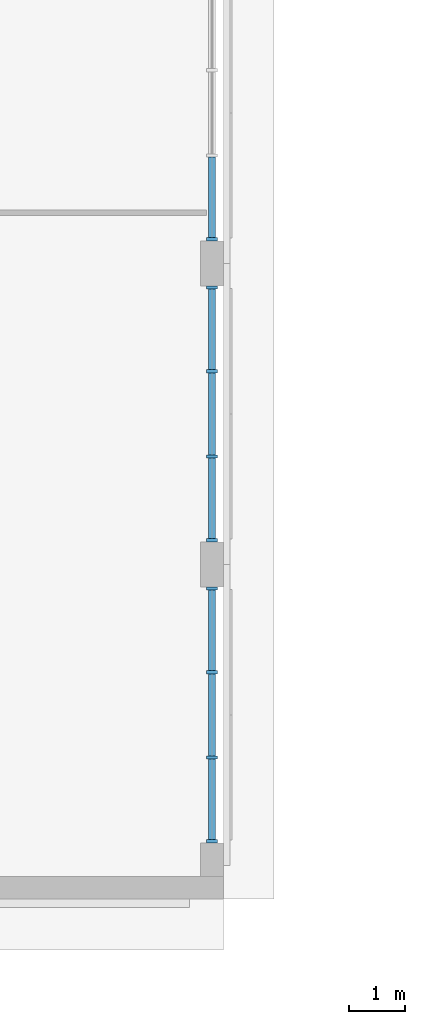
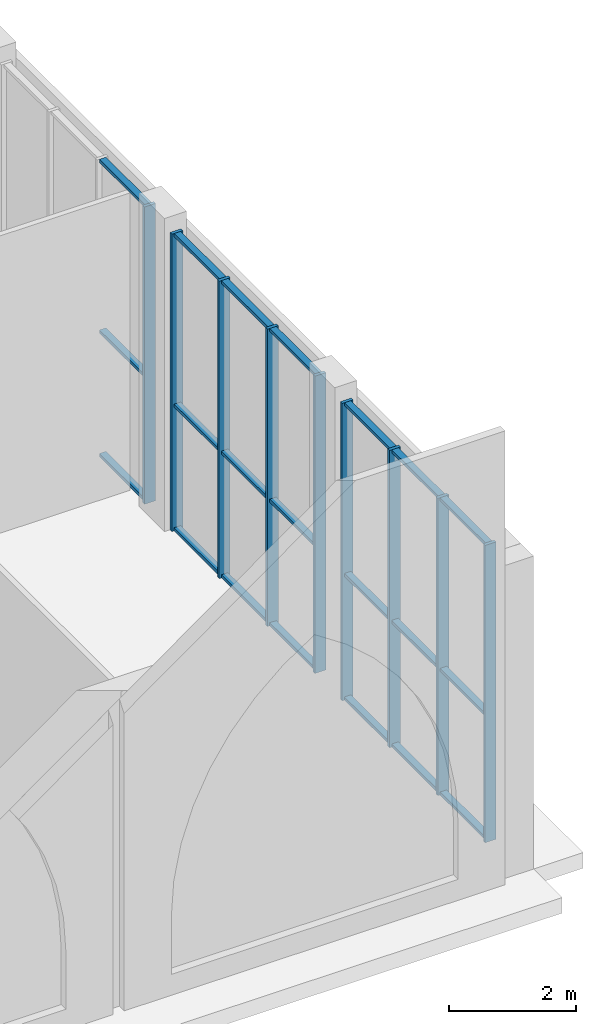
# One storey, part 7 of 74: 30 members, 3 elements without a shape of their own.
"""IFC4 building model written with IfcOpenShell, lengths in metres."""

from ifc_helpers import new_model, si_unit, direction, frame, origin, origin_2d, place, context, subcontext, project, spatial, rectangle, extrude, material, layer, layer_set, material_profile, profile_set, type_object, element, aggregate, save


model = new_model("IFC4")

# Units and contexts
model_context = context("Model", 3, precision=1e-05, world=origin(), true_north=direction((0.0, 1.0)))
body_context = subcontext(model_context, "Body", "Model", "MODEL_VIEW")
ifc_project = project(units=[si_unit("LENGTHUNIT", "METRE"), si_unit("AREAUNIT", "SQUARE_METRE"), si_unit("VOLUMEUNIT", "CUBIC_METRE"), si_unit("PLANEANGLEUNIT", "RADIAN"), si_unit("MASSUNIT", "GRAM", prefix="KILO")], contexts=[model_context])

# Site, building, storey
site_placement = place(None, origin())
site = spatial("IfcSite", under=ifc_project, at=site_placement, CompositionType="ELEMENT")
building_placement = place(site_placement, origin())
building = spatial("IfcBuilding", under=site, at=building_placement, Name="Noorbagh Ring Tower", CompositionType="ELEMENT")
storey_placement = place(building_placement, frame((0.0, 0.0, 13.5)))
storey = spatial("IfcBuildingStorey", under=building, at=storey_placement, Name="L02", CompositionType="ELEMENT", Elevation=13.5)

# Curtain wall, members
ifc_material_1 = material(Name="Aluminium and glass", Category="aluminium")
ifc_layer = layer(ifc_material_1, 0.199951171875)
ifc_layer_set = layer_set([ifc_layer], Name="Aluminium and glass")
curtain_wall_type = type_object("IfcCurtainWallType", Name="TH-CW", PredefinedType="NOTDEFINED", material=ifc_layer_set)
curtain_wall_1_placement = place(storey_placement, origin())
curtain_wall_1 = element("IfcCurtainWall", 1, at=curtain_wall_1_placement, inside=storey, type_object=curtain_wall_type, Name="Foyer glazing", PredefinedType="NOTDEFINED")
ifc_material_2 = material(Name="Aluminium", Category="aluminium")
ifc_material_profile_1 = material_profile(ifc_material_2, rectangle(XDim=0.199951171875, YDim=0.06005859375, at=origin_2d()), Name="AL 200x60")
ifc_profile_set_1 = profile_set([ifc_material_profile_1], Name="Aluminium")
member_type_1 = type_object("IfcMemberType", Name="TH-CW-MULLION", PredefinedType="MULLION", material=ifc_profile_set_1)
member_1_placement = place(storey_placement, frame((-95.199951171875, -19.969970703125, 0.0), z_axis=(0.0, 0.0, 1.0), x_axis=(-1.0, 0.0, 0.0)))
member_1 = element("IfcMember", 2, at=member_1_placement, type_object=member_type_1, Name="CW-T mullion 1", PredefinedType="MULLION", context=body_context, shape_type="SweptSolid", body=[
    extrude(rectangle(XDim=0.199951171875, YDim=0.06005859375, at=origin_2d()), origin(), (0.0, 0.0, 1.0), 5.699951171875),
])
member_2_placement = place(storey_placement, frame((-95.199951171875, -18.4833984375, 0.0), z_axis=(0.0, 0.0, 1.0), x_axis=(-1.0, 0.0, 0.0)))
member_2 = element("IfcMember", 3, at=member_2_placement, type_object=member_type_1, Name="CW-T mullion 2", PredefinedType="MULLION", context=body_context, shape_type="SweptSolid", body=[
    extrude(rectangle(XDim=0.199951171875, YDim=0.06005859375, at=origin_2d()), origin(), (0.0, 0.0, 1.0), 5.699951171875),
])
member_3_placement = place(storey_placement, frame((-95.199951171875, -16.966552734375, 0.0), z_axis=(0.0, 0.0, 1.0), x_axis=(-1.0, 0.0, 0.0)))
member_3 = element("IfcMember", 4, at=member_3_placement, type_object=member_type_1, Name="CW-T mullion 3", PredefinedType="MULLION", context=body_context, shape_type="SweptSolid", body=[
    extrude(rectangle(XDim=0.199951171875, YDim=0.06005859375, at=origin_2d()), origin(), (0.0, 0.0, 1.0), 5.699951171875),
])
member_4_placement = place(storey_placement, frame((-95.199951171875, -15.47998046875, 0.0), z_axis=(0.0, 0.0, 1.0), x_axis=(-1.0, 0.0, 0.0)))
member_4 = element("IfcMember", 5, at=member_4_placement, type_object=member_type_1, Name="CW-T mullion 4", PredefinedType="MULLION", context=body_context, shape_type="SweptSolid", body=[
    extrude(rectangle(XDim=0.199951171875, YDim=0.06005859375, at=origin_2d()), origin(), (0.0, 0.0, 1.0), 5.699951171875),
])

curtain_wall_2_placement = place(storey_placement, origin())
curtain_wall_2 = element("IfcCurtainWall", 6, at=curtain_wall_2_placement, inside=storey, type_object=curtain_wall_type, Name="Foyer glazing", PredefinedType="NOTDEFINED")
member_5_placement = place(storey_placement, frame((-95.199951171875, -14.6201171875, 0.0), z_axis=(0.0, 0.0, 1.0), x_axis=(-1.0, 0.0, 0.0)))
member_5 = element("IfcMember", 7, at=member_5_placement, type_object=member_type_1, Name="CW-T mullion 1", PredefinedType="MULLION", context=body_context, shape_type="SweptSolid", body=[
    extrude(rectangle(XDim=0.199951171875, YDim=0.06005859375, at=origin_2d()), origin(), (0.0, 0.0, 1.0), 5.699951171875),
])
member_6_placement = place(storey_placement, frame((-95.199951171875, -13.13330078125, 0.0), z_axis=(0.0, 0.0, 1.0), x_axis=(-1.0, 0.0, 0.0)))
member_6 = element("IfcMember", 8, at=member_6_placement, type_object=member_type_1, Name="CW-T mullion 2", PredefinedType="MULLION", context=body_context, shape_type="SweptSolid", body=[
    extrude(rectangle(XDim=0.199951171875, YDim=0.06005859375, at=origin_2d()), origin(), (0.0, 0.0, 1.0), 5.699951171875),
])
member_7_placement = place(storey_placement, frame((-95.199951171875, -11.61669921875, 0.0), z_axis=(0.0, 0.0, 1.0), x_axis=(-1.0, 0.0, 0.0)))
member_7 = element("IfcMember", 9, at=member_7_placement, type_object=member_type_1, Name="CW-T mullion 3", PredefinedType="MULLION", context=body_context, shape_type="SweptSolid", body=[
    extrude(rectangle(XDim=0.199951171875, YDim=0.06005859375, at=origin_2d()), origin(), (0.0, 0.0, 1.0), 5.699951171875),
])
member_8_placement = place(storey_placement, frame((-95.199951171875, -10.1298828125, 0.0), z_axis=(0.0, 0.0, 1.0), x_axis=(-1.0, 0.0, 0.0)))
member_8 = element("IfcMember", 10, at=member_8_placement, type_object=member_type_1, Name="CW-T mullion 4", PredefinedType="MULLION", context=body_context, shape_type="SweptSolid", body=[
    extrude(rectangle(XDim=0.199951171875, YDim=0.06005859375, at=origin_2d()), origin(), (0.0, 0.0, 1.0), 5.699951171875),
])

# Curtain wall, member
curtain_wall_3_placement = place(storey_placement, origin())
curtain_wall_3 = element("IfcCurtainWall", 11, at=curtain_wall_3_placement, inside=storey, type_object=curtain_wall_type, Name="Foyer glazing", PredefinedType="NOTDEFINED")
member_9_placement = place(storey_placement, frame((-95.199951171875, -9.27001953125, 0.0), z_axis=(0.0, 0.0, 1.0), x_axis=(-1.0, 0.0, 0.0)))
member_9 = element("IfcMember", 12, at=member_9_placement, type_object=member_type_1, Name="CW-T mullion 1", PredefinedType="MULLION", context=body_context, shape_type="SweptSolid", body=[
    extrude(rectangle(XDim=0.199951171875, YDim=0.06005859375, at=origin_2d()), origin(), (0.0, 0.0, 1.0), 5.699951171875),
])

# Member
ifc_material_3 = material(Name="Aluminium", Category="aluminium")
ifc_material_profile_2 = material_profile(ifc_material_3, rectangle(XDim=0.1201171875, YDim=0.06005859375, at=origin_2d()), Name="AL 120x60")
ifc_profile_set_2 = profile_set([ifc_material_profile_2], Name="Aluminium")
member_type_2 = type_object("IfcMemberType", Name="TH-CW-TRANSOM", PredefinedType="USERDEFINED", material=ifc_profile_set_2)
member_10_placement = place(storey_placement, frame((-95.199951171875, -19.93994140625, 0.030029296875), z_axis=(0.0, 1.0, 0.0), x_axis=(-1.0, 0.0, 0.0)))
member_10 = element("IfcMember", 13, at=member_10_placement, type_object=member_type_2, Name="CW-T transom 1.1", ObjectType="TRANSOM", PredefinedType="USERDEFINED", context=body_context, shape_type="SweptSolid", body=[
    extrude(rectangle(XDim=0.1201171875, YDim=0.06005859375, at=origin_2d()), origin(), (0.0, 0.0, 1.0), 1.426513671875),
])

member_11_placement = place(storey_placement, frame((-95.199951171875, -19.93994140625, 2.39990234375), z_axis=(0.0, 1.0, 0.0), x_axis=(-1.0, 0.0, 0.0)))
member_11 = element("IfcMember", 14, at=member_11_placement, type_object=member_type_2, Name="CW-T transom 1.2", ObjectType="TRANSOM", PredefinedType="USERDEFINED", context=body_context, shape_type="SweptSolid", body=[
    extrude(rectangle(XDim=0.1201171875, YDim=0.06005859375, at=origin_2d()), origin(), (0.0, 0.0, 1.0), 1.426513671875),
])

member_12_placement = place(storey_placement, frame((-95.199951171875, -19.93994140625, 5.669921875), z_axis=(0.0, 1.0, 0.0), x_axis=(-1.0, 0.0, 0.0)))
member_12 = element("IfcMember", 15, at=member_12_placement, type_object=member_type_2, Name="CW-T transom 1.3", ObjectType="TRANSOM", PredefinedType="USERDEFINED", context=body_context, shape_type="SweptSolid", body=[
    extrude(rectangle(XDim=0.1201171875, YDim=0.06005859375, at=origin_2d()), origin(), (0.0, 0.0, 1.0), 1.426513671875),
])

member_13_placement = place(storey_placement, frame((-95.199951171875, -18.453369140625, 0.030029296875), z_axis=(0.0, 1.0, 0.0), x_axis=(-1.0, 0.0, 0.0)))
member_13 = element("IfcMember", 16, at=member_13_placement, type_object=member_type_2, Name="CW-T transom 2.1", ObjectType="TRANSOM", PredefinedType="USERDEFINED", context=body_context, shape_type="SweptSolid", body=[
    extrude(rectangle(XDim=0.1201171875, YDim=0.06005859375, at=origin_2d()), origin(), (0.0, 0.0, 1.0), 1.456787109375),
])

member_14_placement = place(storey_placement, frame((-95.199951171875, -18.453369140625, 2.39990234375), z_axis=(0.0, 1.0, 0.0), x_axis=(-1.0, 0.0, 0.0)))
member_14 = element("IfcMember", 17, at=member_14_placement, type_object=member_type_2, Name="CW-T transom 2.2", ObjectType="TRANSOM", PredefinedType="USERDEFINED", context=body_context, shape_type="SweptSolid", body=[
    extrude(rectangle(XDim=0.1201171875, YDim=0.06005859375, at=origin_2d()), origin(), (0.0, 0.0, 1.0), 1.456787109375),
])

member_15_placement = place(storey_placement, frame((-95.199951171875, -18.453369140625, 5.669921875), z_axis=(0.0, 1.0, 0.0), x_axis=(-1.0, 0.0, 0.0)))
member_15 = element("IfcMember", 18, at=member_15_placement, type_object=member_type_2, Name="CW-T transom 2.3", ObjectType="TRANSOM", PredefinedType="USERDEFINED", context=body_context, shape_type="SweptSolid", body=[
    extrude(rectangle(XDim=0.1201171875, YDim=0.06005859375, at=origin_2d()), origin(), (0.0, 0.0, 1.0), 1.456787109375),
])

member_16_placement = place(storey_placement, frame((-95.199951171875, -16.936767578125, 0.030029296875), z_axis=(0.0, 1.0, 0.0), x_axis=(-1.0, 0.0, 0.0)))
member_16 = element("IfcMember", 19, at=member_16_placement, type_object=member_type_2, Name="CW-T transom 3.1", ObjectType="TRANSOM", PredefinedType="USERDEFINED", context=body_context, shape_type="SweptSolid", body=[
    extrude(rectangle(XDim=0.1201171875, YDim=0.06005859375, at=origin_2d()), origin(), (0.0, 0.0, 1.0), 1.4267578125),
])

member_17_placement = place(storey_placement, frame((-95.199951171875, -16.936767578125, 2.39990234375), z_axis=(0.0, 1.0, 0.0), x_axis=(-1.0, 0.0, 0.0)))
member_17 = element("IfcMember", 20, at=member_17_placement, type_object=member_type_2, Name="CW-T transom 3.2", ObjectType="TRANSOM", PredefinedType="USERDEFINED", context=body_context, shape_type="SweptSolid", body=[
    extrude(rectangle(XDim=0.1201171875, YDim=0.06005859375, at=origin_2d()), origin(), (0.0, 0.0, 1.0), 1.4267578125),
])

member_18_placement = place(storey_placement, frame((-95.199951171875, -16.936767578125, 5.669921875), z_axis=(0.0, 1.0, 0.0), x_axis=(-1.0, 0.0, 0.0)))
member_18 = element("IfcMember", 21, at=member_18_placement, type_object=member_type_2, Name="CW-T transom 3.3", ObjectType="TRANSOM", PredefinedType="USERDEFINED", context=body_context, shape_type="SweptSolid", body=[
    extrude(rectangle(XDim=0.1201171875, YDim=0.06005859375, at=origin_2d()), origin(), (0.0, 0.0, 1.0), 1.4267578125),
])

aggregate(curtain_wall_1, [member_1, member_2, member_3, member_4, member_10, member_11, member_12, member_13, member_14, member_15, member_16, member_17, member_18])

member_19_placement = place(storey_placement, frame((-95.199951171875, -14.590087890625, 0.030029296875), z_axis=(0.0, 1.0, 0.0), x_axis=(-1.0, 0.0, 0.0)))
member_19 = element("IfcMember", 22, at=member_19_placement, type_object=member_type_2, Name="CW-T transom 1.1", ObjectType="TRANSOM", PredefinedType="USERDEFINED", context=body_context, shape_type="SweptSolid", body=[
    extrude(rectangle(XDim=0.1201171875, YDim=0.06005859375, at=origin_2d()), origin(), (0.0, 0.0, 1.0), 1.4267578125),
])

member_20_placement = place(storey_placement, frame((-95.199951171875, -14.590087890625, 2.39990234375), z_axis=(0.0, 1.0, 0.0), x_axis=(-1.0, 0.0, 0.0)))
member_20 = element("IfcMember", 23, at=member_20_placement, type_object=member_type_2, Name="CW-T transom 1.2", ObjectType="TRANSOM", PredefinedType="USERDEFINED", context=body_context, shape_type="SweptSolid", body=[
    extrude(rectangle(XDim=0.1201171875, YDim=0.06005859375, at=origin_2d()), origin(), (0.0, 0.0, 1.0), 1.4267578125),
])

member_21_placement = place(storey_placement, frame((-95.199951171875, -14.590087890625, 5.669921875), z_axis=(0.0, 1.0, 0.0), x_axis=(-1.0, 0.0, 0.0)))
member_21 = element("IfcMember", 24, at=member_21_placement, type_object=member_type_2, Name="CW-T transom 1.3", ObjectType="TRANSOM", PredefinedType="USERDEFINED", context=body_context, shape_type="SweptSolid", body=[
    extrude(rectangle(XDim=0.1201171875, YDim=0.06005859375, at=origin_2d()), origin(), (0.0, 0.0, 1.0), 1.4267578125),
])

member_22_placement = place(storey_placement, frame((-95.199951171875, -13.103271484375, 0.030029296875), z_axis=(0.0, 1.0, 0.0), x_axis=(-1.0, 0.0, 0.0)))
member_22 = element("IfcMember", 25, at=member_22_placement, type_object=member_type_2, Name="CW-T transom 2.1", ObjectType="TRANSOM", PredefinedType="USERDEFINED", context=body_context, shape_type="SweptSolid", body=[
    extrude(rectangle(XDim=0.1201171875, YDim=0.06005859375, at=origin_2d()), origin(), (0.0, 0.0, 1.0), 1.45654296875),
])

member_23_placement = place(storey_placement, frame((-95.199951171875, -13.103271484375, 2.39990234375), z_axis=(0.0, 1.0, 0.0), x_axis=(-1.0, 0.0, 0.0)))
member_23 = element("IfcMember", 26, at=member_23_placement, type_object=member_type_2, Name="CW-T transom 2.2", ObjectType="TRANSOM", PredefinedType="USERDEFINED", context=body_context, shape_type="SweptSolid", body=[
    extrude(rectangle(XDim=0.1201171875, YDim=0.06005859375, at=origin_2d()), origin(), (0.0, 0.0, 1.0), 1.45654296875),
])

member_24_placement = place(storey_placement, frame((-95.199951171875, -13.103271484375, 5.669921875), z_axis=(0.0, 1.0, 0.0), x_axis=(-1.0, 0.0, 0.0)))
member_24 = element("IfcMember", 27, at=member_24_placement, type_object=member_type_2, Name="CW-T transom 2.3", ObjectType="TRANSOM", PredefinedType="USERDEFINED", context=body_context, shape_type="SweptSolid", body=[
    extrude(rectangle(XDim=0.1201171875, YDim=0.06005859375, at=origin_2d()), origin(), (0.0, 0.0, 1.0), 1.45654296875),
])

member_25_placement = place(storey_placement, frame((-95.199951171875, -11.586669921875, 0.030029296875), z_axis=(0.0, 1.0, 0.0), x_axis=(-1.0, 0.0, 0.0)))
member_25 = element("IfcMember", 28, at=member_25_placement, type_object=member_type_2, Name="CW-T transom 3.1", ObjectType="TRANSOM", PredefinedType="USERDEFINED", context=body_context, shape_type="SweptSolid", body=[
    extrude(rectangle(XDim=0.1201171875, YDim=0.06005859375, at=origin_2d()), origin(), (0.0, 0.0, 1.0), 1.4267578125),
])

member_26_placement = place(storey_placement, frame((-95.199951171875, -11.586669921875, 2.39990234375), z_axis=(0.0, 1.0, 0.0), x_axis=(-1.0, 0.0, 0.0)))
member_26 = element("IfcMember", 29, at=member_26_placement, type_object=member_type_2, Name="CW-T transom 3.2", ObjectType="TRANSOM", PredefinedType="USERDEFINED", context=body_context, shape_type="SweptSolid", body=[
    extrude(rectangle(XDim=0.1201171875, YDim=0.06005859375, at=origin_2d()), origin(), (0.0, 0.0, 1.0), 1.4267578125),
])

member_27_placement = place(storey_placement, frame((-95.199951171875, -11.586669921875, 5.669921875), z_axis=(0.0, 1.0, 0.0), x_axis=(-1.0, 0.0, 0.0)))
member_27 = element("IfcMember", 30, at=member_27_placement, type_object=member_type_2, Name="CW-T transom 3.3", ObjectType="TRANSOM", PredefinedType="USERDEFINED", context=body_context, shape_type="SweptSolid", body=[
    extrude(rectangle(XDim=0.1201171875, YDim=0.06005859375, at=origin_2d()), origin(), (0.0, 0.0, 1.0), 1.4267578125),
])

aggregate(curtain_wall_2, [member_5, member_6, member_7, member_8, member_19, member_20, member_21, member_22, member_23, member_24, member_25, member_26, member_27])

member_28_placement = place(storey_placement, frame((-95.199951171875, -9.239990234375, 0.030029296875), z_axis=(0.0, 1.0, 0.0), x_axis=(-1.0, 0.0, 0.0)))
member_28 = element("IfcMember", 31, at=member_28_placement, type_object=member_type_2, Name="CW-T transom 1.1", ObjectType="TRANSOM", PredefinedType="USERDEFINED", context=body_context, shape_type="SweptSolid", body=[
    extrude(rectangle(XDim=0.1201171875, YDim=0.06005859375, at=origin_2d()), origin(), (0.0, 0.0, 1.0), 1.4267578125),
])

member_29_placement = place(storey_placement, frame((-95.199951171875, -9.239990234375, 2.39990234375), z_axis=(0.0, 1.0, 0.0), x_axis=(-1.0, 0.0, 0.0)))
member_29 = element("IfcMember", 32, at=member_29_placement, type_object=member_type_2, Name="CW-T transom 1.2", ObjectType="TRANSOM", PredefinedType="USERDEFINED", context=body_context, shape_type="SweptSolid", body=[
    extrude(rectangle(XDim=0.1201171875, YDim=0.06005859375, at=origin_2d()), origin(), (0.0, 0.0, 1.0), 1.4267578125),
])

member_30_placement = place(storey_placement, frame((-95.199951171875, -9.239990234375, 5.669921875), z_axis=(0.0, 1.0, 0.0), x_axis=(-1.0, 0.0, 0.0)))
member_30 = element("IfcMember", 33, at=member_30_placement, type_object=member_type_2, Name="CW-T transom 1.3", ObjectType="TRANSOM", PredefinedType="USERDEFINED", context=body_context, shape_type="SweptSolid", body=[
    extrude(rectangle(XDim=0.1201171875, YDim=0.06005859375, at=origin_2d()), origin(), (0.0, 0.0, 1.0), 1.4267578125),
])

aggregate(curtain_wall_3, [member_9, member_28, member_29, member_30])

save(model, "model.ifc")
